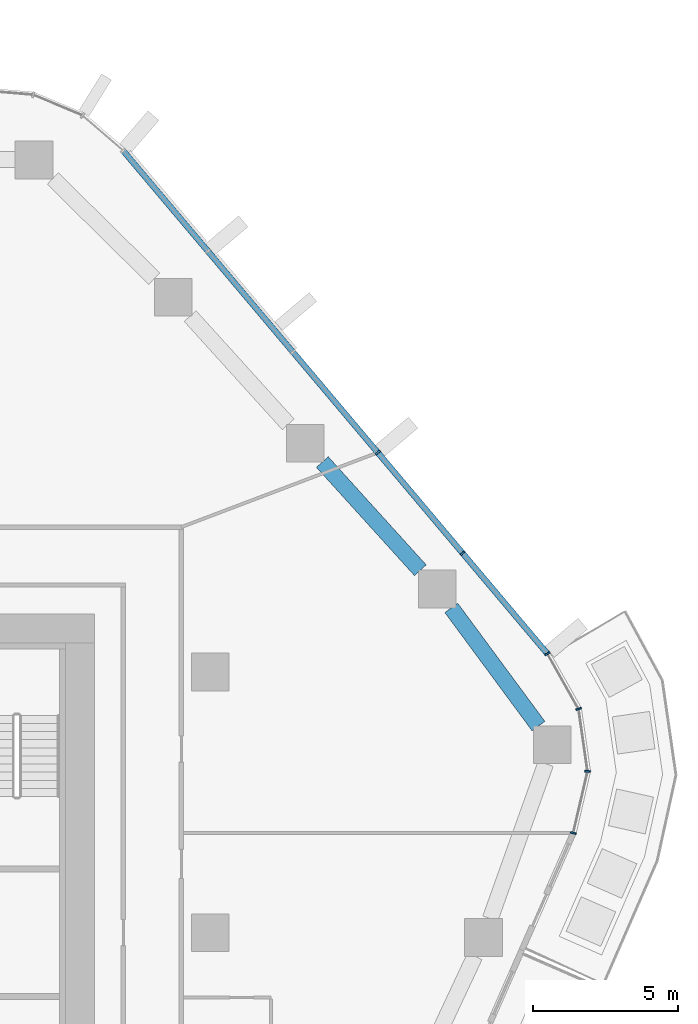
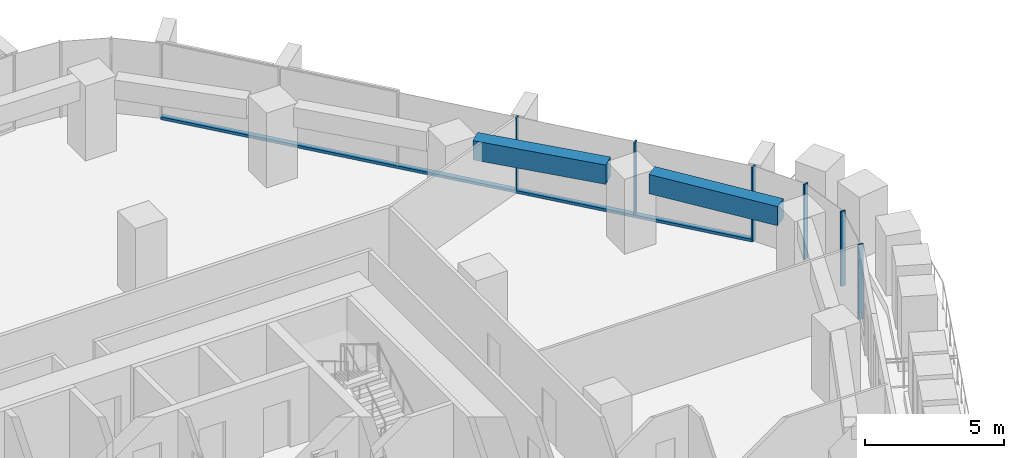
# One storey, part 8 of 23: 7 members, 2 beams, 2 elements without a shape of their own.
"""IFC4 building model written with IfcOpenShell, lengths in metres."""

from ifc_helpers import new_model, si_unit, direction, frame, origin, origin_2d, place, context, subcontext, project, spatial, rectangle, extrude, material, layer, layer_set, material_profile, profile_set, type_object, element, aggregate, save


model = new_model("IFC4")

# Units and contexts
model_context = context("Model", 3, precision=1e-05, world=origin(), true_north=direction((0.0, 1.0)))
body_context = subcontext(model_context, "Body", "Model", "MODEL_VIEW")
ifc_project = project(units=[si_unit("LENGTHUNIT", "METRE"), si_unit("AREAUNIT", "SQUARE_METRE"), si_unit("VOLUMEUNIT", "CUBIC_METRE"), si_unit("PLANEANGLEUNIT", "RADIAN"), si_unit("MASSUNIT", "GRAM", prefix="KILO")], contexts=[model_context])

# Site, building, storey
site_placement = place(None, origin())
site = spatial("IfcSite", under=ifc_project, at=site_placement, CompositionType="ELEMENT")
building_placement = place(site_placement, origin())
building = spatial("IfcBuilding", under=site, at=building_placement, Name="Dongbaek Canopy Tower", CompositionType="ELEMENT")
storey_placement = place(building_placement, frame((0.0, 0.0, 132.199951171875)))
storey = spatial("IfcBuildingStorey", under=building, at=storey_placement, Name="L29", CompositionType="ELEMENT", Elevation=132.199951171875)

# Curtain wall, members
ifc_material_1 = material(Name="Aluminium 6063-T6 pale anodised", Category="aluminium")
ifc_layer = layer(ifc_material_1, 0.199951171875)
ifc_layer_set = layer_set([ifc_layer], Name="CW-1 unitised tower curtain wall")
curtain_wall_type = type_object("IfcCurtainWallType", Name="CW-1 unitised tower curtain wall", PredefinedType="NOTDEFINED", material=ifc_layer_set)
curtain_wall_1_placement = place(storey_placement, origin())
curtain_wall_1 = element("IfcCurtainWall", 1, at=curtain_wall_1_placement, inside=storey, type_object=curtain_wall_type, Name="CW-1 curtain wall K0.1", PredefinedType="NOTDEFINED")
ifc_material_2 = material(Name="Aluminium 6063-T6 pale anodised", Category="aluminium")
ifc_material_profile_1 = material_profile(ifc_material_2, rectangle(XDim=0.199951171875, YDim=0.06005859375, at=origin_2d()), Name="CW-1 mullion 60 x 200")
ifc_profile_set_1 = profile_set([ifc_material_profile_1], Name="Aluminium 6063-T6 pale anodised")
member_type_1 = type_object("IfcMemberType", Name="CW-1 mullion 60 x 200", PredefinedType="MULLION", material=ifc_profile_set_1)
member_1_placement = place(storey_placement, frame((30.533203125, 3.4384765625, 0.0), z_axis=(0.0, 0.0, 1.0), x_axis=(0.974088872449, -0.226165577778, 0.0)))
member_1 = element("IfcMember", 2, at=member_1_placement, type_object=member_type_1, Name="CW-1 mullion K0.1.1", PredefinedType="MULLION", context=body_context, shape_type="SweptSolid", body=[
    extrude(rectangle(XDim=0.199951171875, YDim=0.06005859375, at=origin_2d()), origin(), (0.0, 0.0, 1.0), 3.300048828125),
])
member_2_placement = place(storey_placement, frame((31.028076171875, 5.56982421875, 0.0), z_axis=(0.0, 0.0, 1.0), x_axis=(0.99910182485, -0.042373854938, 0.0)))
member_2 = element("IfcMember", 3, at=member_2_placement, type_object=member_type_1, Name="CW-1 mullion K0.1.2", PredefinedType="MULLION", context=body_context, shape_type="SweptSolid", body=[
    extrude(rectangle(XDim=0.199951171875, YDim=0.06005859375, at=origin_2d()), origin(), (0.0, 0.0, 1.0), 3.300048828125),
])
member_3_placement = place(storey_placement, frame((30.716796875, 7.726318359375, 0.0), z_axis=(0.0, 0.0, 1.0), x_axis=(0.946327371604, 0.323209693161, 0.0)))
member_3 = element("IfcMember", 4, at=member_3_placement, type_object=member_type_1, Name="CW-1 mullion K0.1.3", PredefinedType="MULLION", context=body_context, shape_type="SweptSolid", body=[
    extrude(rectangle(XDim=0.199951171875, YDim=0.06005859375, at=origin_2d()), origin(), (0.0, 0.0, 1.0), 3.300048828125),
])
member_4_placement = place(storey_placement, frame((29.639404296875, 9.630615234375, 0.0), z_axis=(0.0, 0.0, 1.0), x_axis=(0.870355673405, 0.492423599933, 0.0)))
member_4 = element("IfcMember", 5, at=member_4_placement, type_object=member_type_1, Name="CW-1 mullion K0.1.4", PredefinedType="MULLION", context=body_context, shape_type="SweptSolid", body=[
    extrude(rectangle(XDim=0.199951171875, YDim=0.06005859375, at=origin_2d()), origin(), (0.0, 0.0, 1.0), 3.300048828125),
])
aggregate(curtain_wall_1, [member_1, member_2, member_3, member_4])

curtain_wall_2_placement = place(storey_placement, origin())
curtain_wall_2 = element("IfcCurtainWall", 6, at=curtain_wall_2_placement, inside=storey, type_object=curtain_wall_type, Name="CW-1 curtain wall F0.1", PredefinedType="NOTDEFINED")
member_5_placement = place(storey_placement, frame((26.71435546875, 13.098876953125, 0.1201171875), z_axis=(0.0, 0.0, 1.0), x_axis=(0.764439348936, 0.644695650519, 0.0)))
member_5 = element("IfcMember", 7, at=member_5_placement, type_object=member_type_1, Name="CW-1 mullion F0.1.2", PredefinedType="MULLION", context=body_context, shape_type="SweptSolid", body=[
    extrude(rectangle(XDim=0.199951171875, YDim=0.06005859375, at=origin_2d()), origin(), (0.0, 0.0, 1.0), 3.179931640625),
])
member_6_placement = place(storey_placement, frame((23.783203125, 16.574462890625, 0.1201171875), z_axis=(0.0, 0.0, 1.0), x_axis=(0.764439348936, 0.644695650519, 0.0)))
member_6 = element("IfcMember", 8, at=member_6_placement, type_object=member_type_1, Name="CW-1 mullion F0.1.3", PredefinedType="MULLION", context=body_context, shape_type="SweptSolid", body=[
    extrude(rectangle(XDim=0.199951171875, YDim=0.06005859375, at=origin_2d()), origin(), (0.0, 0.0, 1.0), 3.179931640625),
])
ifc_material_3 = material(Name="Aluminium 6063-T6 pale anodised", Category="aluminium")
ifc_material_profile_2 = material_profile(ifc_material_3, rectangle(XDim=0.199951171875, YDim=0.1201171875, at=origin_2d()), Name="CW-1 transom 120 x 200")
ifc_profile_set_2 = profile_set([ifc_material_profile_2], Name="Aluminium 6063-T6 pale anodised")
member_type_2 = type_object("IfcMemberType", Name="CW-1 transom 120 x 200", PredefinedType="USERDEFINED", material=ifc_profile_set_2)
member_7_placement = place(storey_placement, frame((29.639404296875, 9.630615234375, 0.06005859375), z_axis=(-0.644695913599, 0.764439127066, 0.0), x_axis=(-0.764439127066, -0.644695913599, 0.0)))
member_7 = element("IfcMember", 9, at=member_7_placement, type_object=member_type_2, Name="CW-1 transom F0.1.1", ObjectType="TRANSOM", PredefinedType="USERDEFINED", context=body_context, shape_type="SweptSolid", body=[
    extrude(rectangle(XDim=0.199951171875, YDim=0.1201171875, at=origin_2d()), origin(), (0.0, 0.0, 1.0), 22.715087890625),
])
aggregate(curtain_wall_2, [member_5, member_6, member_7])

# Beams
ifc_material_4 = material(Name="Concrete C80", Category="concrete")
ifc_material_profile_3 = material_profile(ifc_material_4, rectangle(XDim=0.550048828125, YDim=0.85009765625, at=origin_2d()), Name="RC EDGE BEAM 550x850 C80")
ifc_profile_set_3 = profile_set([ifc_material_profile_3], Name="Concrete C80")
beam_type = type_object("IfcBeamType", Name="RC EDGE BEAM 550x850 C80", PredefinedType="BEAM", material=ifc_profile_set_3)
beam_1_placement = place(storey_placement, frame((21.86865234375, 16.248046875, 2.875), z_axis=(0.671270897358, -0.74121210349, 0.0), x_axis=(0.74121210349, 0.671270897358, 0.0)))
element("IfcBeam", 10, at=beam_1_placement, inside=storey, type_object=beam_type, Name="EDGEBEAM:L29:19", PredefinedType="BEAM", context=body_context, shape_type="SweptSolid", body=[
    extrude(rectangle(XDim=0.550048828125, YDim=0.85009765625, at=origin_2d()), origin(), (0.0, 0.0, 1.0), 5.04052734375),
])
beam_2_placement = place(storey_placement, frame((26.320556640625, 11.2119140625, 2.875), z_axis=(0.593780308667, -0.804627208736, 0.0), x_axis=(0.804627208736, 0.593780308667, 0.0)))
element("IfcBeam", 11, at=beam_2_placement, inside=storey, type_object=beam_type, Name="EDGEBEAM:L29:20", PredefinedType="BEAM", context=body_context, shape_type="SweptSolid", body=[
    extrude(rectangle(XDim=0.550048828125, YDim=0.85009765625, at=origin_2d()), origin(), (0.0, 0.0, 1.0), 5.070556640625),
])

save(model, "model.ifc")
